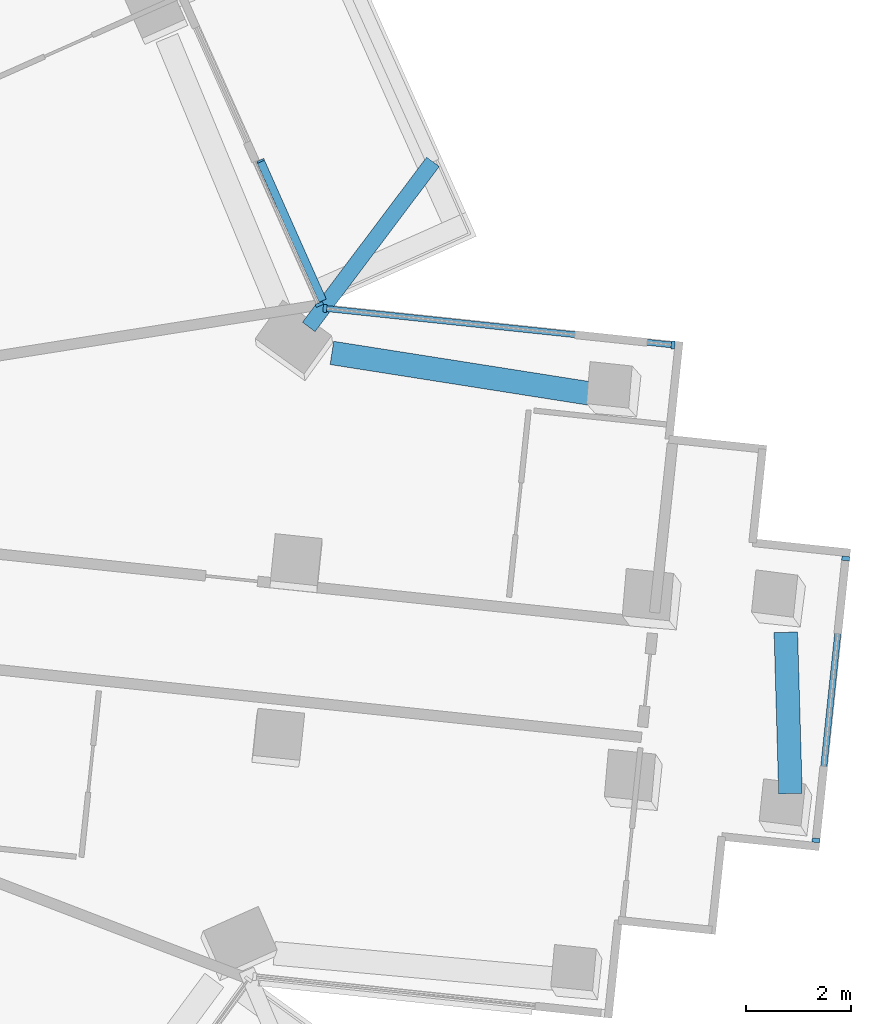
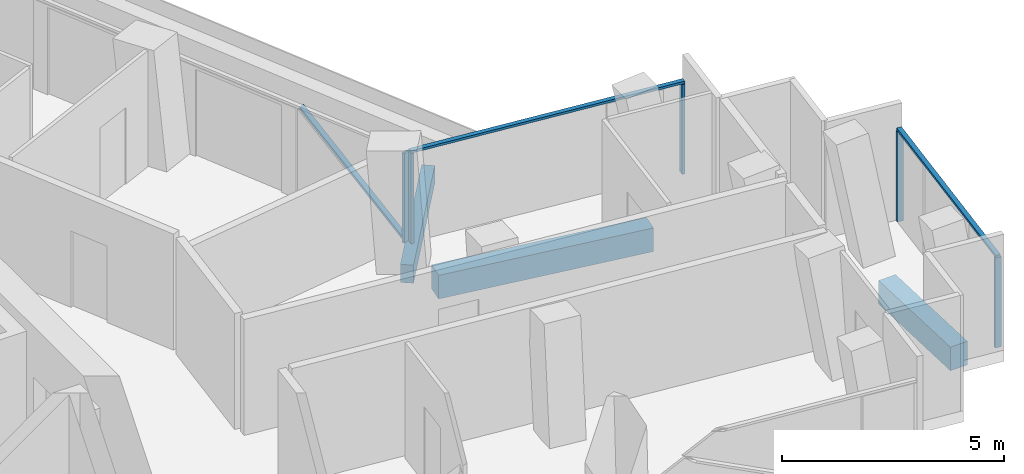
# One storey, part 6 of 23: 8 members, 3 beams, 3 elements without a shape of their own.
"""IFC4 building model written with IfcOpenShell, lengths in metres."""

from ifc_helpers import new_model, si_unit, direction, frame, origin, origin_2d, place, context, subcontext, project, spatial, rectangle, extrude, material, layer, layer_set, material_profile, profile_set, type_object, element, aggregate, save


model = new_model("IFC4")

# Units and contexts
model_context = context("Model", 3, precision=1e-05, world=origin(), true_north=direction((0.0, 1.0)))
body_context = subcontext(model_context, "Body", "Model", "MODEL_VIEW")
ifc_project = project(units=[si_unit("LENGTHUNIT", "METRE"), si_unit("AREAUNIT", "SQUARE_METRE"), si_unit("VOLUMEUNIT", "CUBIC_METRE"), si_unit("PLANEANGLEUNIT", "RADIAN"), si_unit("MASSUNIT", "GRAM", prefix="KILO")], contexts=[model_context])

# Site, building, storey
site_placement = place(None, origin())
site = spatial("IfcSite", under=ifc_project, at=site_placement, CompositionType="ELEMENT")
building_placement = place(site_placement, origin())
building = spatial("IfcBuilding", under=site, at=building_placement, Name="Verdalira Terraces Hotel", CompositionType="ELEMENT")
storey_placement = place(building_placement, frame((0.0, 0.0, 133.0)))
storey = spatial("IfcBuildingStorey", under=building, at=storey_placement, Name="L31", CompositionType="ELEMENT", Elevation=133.0)

# Beam
ifc_material_1 = material(Name="Concrete C40", Category="concrete")
ifc_material_profile_1 = material_profile(ifc_material_1, rectangle(XDim=0.300049, YDim=0.5, at=origin_2d()), Name="RC 300X500")
ifc_profile_set_1 = profile_set([ifc_material_profile_1], Name="Concrete C40")
beam_type_1 = type_object("IfcBeamType", Name="Balcony cantilever beam RC 300X500 C40", PredefinedType="BEAM", material=ifc_profile_set_1)
beam_1_placement = place(storey_placement, frame((24.521973, 3.49707, -0.560059), z_axis=(0.60126507, 0.799049633, 0.0), x_axis=(-0.799049633, 0.60126507, 0.0)))
element("IfcBeam", 1, at=beam_1_placement, inside=storey, type_object=beam_type_1, Name="Balcony cantilever beam R39-1", PredefinedType="BEAM", context=body_context, shape_type="SweptSolid", body=[
    extrude(rectangle(XDim=0.300049, YDim=0.5, at=origin_2d()), origin(), (0.0, 0.0, 1.0), 3.949951),
])

# Curtain wall, member
ifc_material_2 = material(Name="Clear glass", Category="glass")
ifc_layer_1 = layer(ifc_material_2, 0.14990234375)
ifc_layer_set_1 = layer_set([ifc_layer_1], Name="CW1 curtain wall")
curtain_wall_type_1 = type_object("IfcCurtainWallType", Name="CW1 curtain wall", PredefinedType="NOTDEFINED", material=ifc_layer_set_1)
curtain_wall_1_placement = place(storey_placement, origin())
curtain_wall_1 = element("IfcCurtainWall", 2, at=curtain_wall_1_placement, inside=storey, type_object=curtain_wall_type_1, Name="CW1 curtain wall L31 edge 39", PredefinedType="NOTDEFINED")
ifc_material_3 = material(Name="Terracotta frame", Category="masonry")
ifc_material_profile_2 = material_profile(ifc_material_3, rectangle(XDim=0.060059, YDim=0.149902, at=origin_2d()), Name="MU 60x150")
ifc_profile_set_2 = profile_set([ifc_material_profile_2], Name="Terracotta frame")
member_type_1 = type_object("IfcMemberType", Name="CW1 mullion 60x150", PredefinedType="MULLION", material=ifc_profile_set_2)
member_1_placement = place(storey_placement, frame((24.724121, 3.925537, 0.0), z_axis=(0.0, 0.0, 1.0), x_axis=(-0.406736643, 0.913545458, 0.0)))
member_1 = element("IfcMember", 3, at=member_1_placement, type_object=member_type_1, Name="CW1 mullion", PredefinedType="MULLION", context=body_context, shape_type="SweptSolid", body=[
    extrude(rectangle(XDim=0.060059, YDim=0.149902, at=origin_2d()), origin(), (0.0, 0.0, 1.0), 2.475098),
])

# Curtain wall, members
ifc_material_4 = material(Name="Clear glass", Category="glass")
ifc_layer_2 = layer(ifc_material_4, 0.14990234375)
ifc_layer_set_2 = layer_set([ifc_layer_2], Name="CW2 curtain wall")
curtain_wall_type_2 = type_object("IfcCurtainWallType", Name="CW2 curtain wall", PredefinedType="NOTDEFINED", material=ifc_layer_set_2)
curtain_wall_2_placement = place(storey_placement, origin())
curtain_wall_2 = element("IfcCurtainWall", 4, at=curtain_wall_2_placement, inside=storey, type_object=curtain_wall_type_2, Name="CW2 curtain wall L31 edge 38", PredefinedType="NOTDEFINED")
ifc_material_5 = material(Name="Terracotta frame", Category="masonry")
ifc_material_profile_3 = material_profile(ifc_material_5, rectangle(XDim=0.070068, YDim=0.149902, at=origin_2d()), Name="MU 70x150")
ifc_profile_set_3 = profile_set([ifc_material_profile_3], Name="Terracotta frame")
member_type_2 = type_object("IfcMemberType", Name="CW2 mullion 70x150", PredefinedType="MULLION", material=ifc_profile_set_3)
member_2_placement = place(storey_placement, frame((31.488525, 3.150879, 0.0), z_axis=(0.0, 0.0, 1.0), x_axis=(-0.994521895, 0.104528463, 0.0)))
member_2 = element("IfcMember", 5, at=member_2_placement, type_object=member_type_2, Name="CW2 mullion", PredefinedType="MULLION", context=body_context, shape_type="SweptSolid", body=[
    extrude(rectangle(XDim=0.070068, YDim=0.149902, at=origin_2d()), origin(), (0.0, 0.0, 1.0), 2.475098),
])
member_3_placement = place(storey_placement, frame((24.831787, 3.850342, 0.0), z_axis=(0.0, 0.0, 1.0), x_axis=(-0.994521895, 0.104528463, 0.0)))
member_3 = element("IfcMember", 6, at=member_3_placement, type_object=member_type_2, Name="CW2 mullion", PredefinedType="MULLION", context=body_context, shape_type="SweptSolid", body=[
    extrude(rectangle(XDim=0.070068, YDim=0.149902, at=origin_2d()), origin(), (0.0, 0.0, 1.0), 2.475098),
])
ifc_material_6 = material(Name="Terracotta frame", Category="masonry")
ifc_material_profile_4 = material_profile(ifc_material_6, rectangle(XDim=0.11499, YDim=0.064941, at=origin_2d()), Name="TR 65x115")
ifc_profile_set_4 = profile_set([ifc_material_profile_4], Name="Terracotta frame")
member_type_3 = type_object("IfcMemberType", Name="CW2 transom 65x115", PredefinedType="USERDEFINED", material=ifc_profile_set_4)
member_4_placement = place(storey_placement, frame((31.523438, 3.147217, 2.507568), z_axis=(-0.994524622, 0.104502515, 0.0), x_axis=(-0.104502515, -0.994524622, 0.0)))
member_4 = element("IfcMember", 7, at=member_4_placement, type_object=member_type_3, Name="CW2 transom", ObjectType="TRANSOM", PredefinedType="USERDEFINED", context=body_context, shape_type="SweptSolid", body=[
    extrude(rectangle(XDim=0.11499, YDim=0.064941, at=origin_2d()), origin(), (0.0, 0.0, 1.0), 6.763428),
])
aggregate(curtain_wall_2, [member_2, member_3, member_4])

ifc_material_7 = material(Name="Clear glass", Category="glass")
ifc_layer_3 = layer(ifc_material_7, 0.14990234375)
ifc_layer_set_3 = layer_set([ifc_layer_3], Name="CW3 curtain wall")
curtain_wall_type_3 = type_object("IfcCurtainWallType", Name="CW3 curtain wall", PredefinedType="NOTDEFINED", material=ifc_layer_set_3)
curtain_wall_3_placement = place(storey_placement, origin())
curtain_wall_3 = element("IfcCurtainWall", 8, at=curtain_wall_3_placement, inside=storey, type_object=curtain_wall_type_3, Name="CW3 curtain wall L31 edge 33", PredefinedType="NOTDEFINED")
ifc_material_8 = material(Name="Terracotta frame", Category="masonry")
ifc_material_profile_5 = material_profile(ifc_material_8, rectangle(XDim=0.080078, YDim=0.149902, at=origin_2d()), Name="MU 80x150")
ifc_profile_set_5 = profile_set([ifc_material_profile_5], Name="Terracotta frame")
member_type_4 = type_object("IfcMemberType", Name="CW3 mullion 80x150", PredefinedType="MULLION", material=ifc_profile_set_5)
member_5_placement = place(storey_placement, frame((34.223389, -6.322021, 0.0), z_axis=(0.0, 0.0, 1.0), x_axis=(0.104528463, 0.994521895, 0.0)))
member_5 = element("IfcMember", 9, at=member_5_placement, type_object=member_type_4, Name="CW3 mullion", PredefinedType="MULLION", context=body_context, shape_type="SweptSolid", body=[
    extrude(rectangle(XDim=0.080078, YDim=0.149902, at=origin_2d()), origin(), (0.0, 0.0, 1.0), 2.475098),
])
member_6_placement = place(storey_placement, frame((34.790039, -0.931641, 0.0), z_axis=(0.0, 0.0, 1.0), x_axis=(0.104528463, 0.994521895, 0.0)))
member_6 = element("IfcMember", 10, at=member_6_placement, type_object=member_type_4, Name="CW3 mullion", PredefinedType="MULLION", context=body_context, shape_type="SweptSolid", body=[
    extrude(rectangle(XDim=0.080078, YDim=0.149902, at=origin_2d()), origin(), (0.0, 0.0, 1.0), 2.475098),
])
ifc_material_9 = material(Name="Terracotta frame", Category="masonry")
ifc_material_profile_6 = material_profile(ifc_material_9, rectangle(XDim=0.120117, YDim=0.064941, at=origin_2d()), Name="TR 65x120")
ifc_profile_set_6 = profile_set([ifc_material_profile_6], Name="Terracotta frame")
member_type_5 = type_object("IfcMemberType", Name="CW3 transom 65x120", PredefinedType="USERDEFINED", material=ifc_profile_set_6)
member_7_placement = place(storey_placement, frame((34.219238, -6.361816, 2.507568), z_axis=(0.104534593, 0.994521251, 0.0), x_axis=(-0.994521251, 0.104534593, 0.0)))
member_7 = element("IfcMember", 11, at=member_7_placement, type_object=member_type_5, Name="CW3 transom", ObjectType="TRANSOM", PredefinedType="USERDEFINED", context=body_context, shape_type="SweptSolid", body=[
    extrude(rectangle(XDim=0.120117, YDim=0.064941, at=origin_2d()), origin(), (0.0, 0.0, 1.0), 5.5),
])
aggregate(curtain_wall_3, [member_5, member_6, member_7])

# Member
ifc_material_10 = material(Name="Terracotta frame", Category="masonry")
ifc_material_profile_7 = material_profile(ifc_material_10, rectangle(XDim=0.149902, YDim=0.060059, at=origin_2d()), Name="GB 60x150")
ifc_profile_set_7 = profile_set([ifc_material_profile_7], Name="Terracotta frame")
member_type_6 = type_object("IfcMemberType", Name="Diagonal glazing bar 60x150", PredefinedType="USERDEFINED", material=ifc_profile_set_7)
member_8_placement = place(storey_placement, frame((24.781494, 4.015869, 0.024414), z_axis=(-0.312271242, 0.701336836, 0.640791163), x_axis=(-0.913537731, -0.406753997, 0.0)))
member_8 = element("IfcMember", 12, at=member_8_placement, type_object=member_type_6, Name="Diagonal glazing bar", ObjectType="GLAZING BAR", PredefinedType="USERDEFINED", context=body_context, shape_type="SweptSolid", body=[
    extrude(rectangle(XDim=0.149902, YDim=0.060059, at=origin_2d()), origin(), (0.0, 0.0, 1.0), 3.786377),
])

aggregate(curtain_wall_1, [member_1, member_8])

# Beams
ifc_material_11 = material(Name="Concrete C50", Category="concrete")
ifc_material_profile_8 = material_profile(ifc_material_11, rectangle(XDim=0.449951, YDim=0.649902, at=origin_2d()), Name="RC 450X650")
ifc_profile_set_8 = profile_set([ifc_material_profile_8], Name="Concrete C50")
beam_type_2 = type_object("IfcBeamType", Name="Spandrel beam RC 450X650 C50", PredefinedType="SPANDREL", material=ifc_profile_set_8)
beam_2_placement = place(storey_placement, frame((33.733887, -5.428223, -0.63501), z_axis=(-0.028638822, 0.999589825, 0.0), x_axis=(-0.999589825, -0.028638822, 0.0)))
element("IfcBeam", 13, at=beam_2_placement, inside=storey, type_object=beam_type_2, Name="Spandrel beam B16", PredefinedType="SPANDREL", context=body_context, shape_type="SweptSolid", body=[
    extrude(rectangle(XDim=0.449951, YDim=0.649902, at=origin_2d()), origin(), (0.0, 0.0, 1.0), 3.085938),
])
beam_3_placement = place(storey_placement, frame((30.094482, 2.192383, -0.63501), z_axis=(-0.987853526, 0.155387935, 0.0), x_axis=(-0.155387935, -0.987853526, 0.0)))
element("IfcBeam", 14, at=beam_3_placement, inside=storey, type_object=beam_type_2, Name="Spandrel beam B17", PredefinedType="SPANDREL", context=body_context, shape_type="SweptSolid", body=[
    extrude(rectangle(XDim=0.449951, YDim=0.649902, at=origin_2d()), origin(), (0.0, 0.0, 1.0), 5.192627),
])

save(model, "model.ifc")
